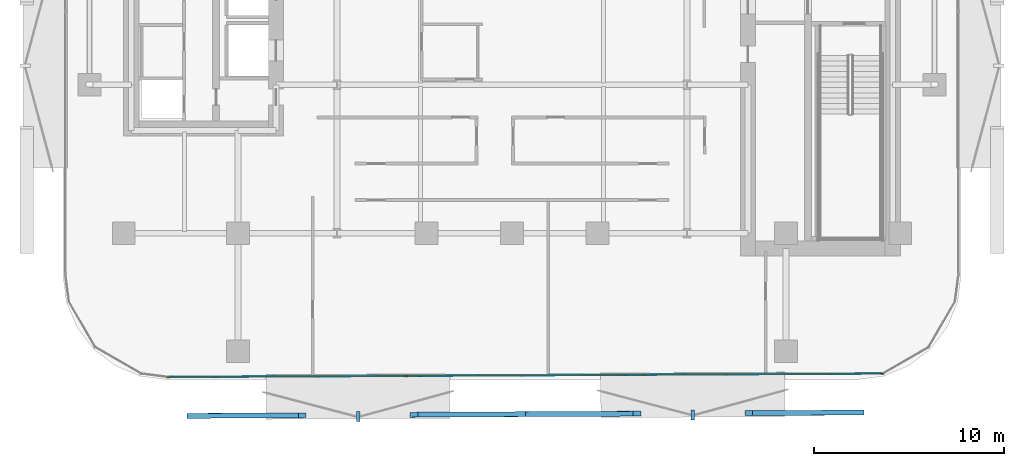
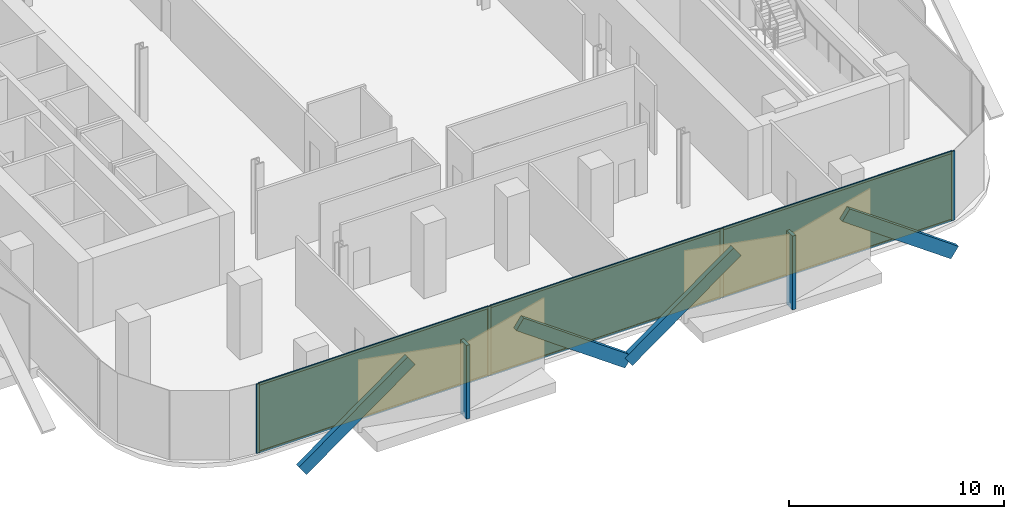
# One storey, part 7 of 15: 16 members, 3 plates, 1 curtain wall.
"""IFC4 building model written with IfcOpenShell, lengths in metres."""

from ifc_helpers import new_model, si_unit, direction, frame, frame_2d, origin, origin_2d, place, context, subcontext, project, spatial, rectangle, extrude, material, layer, layer_set, material_profile, profile_set, type_object, element, aggregate, save


model = new_model("IFC4")

# Units and contexts
model_context = context("Model", 3, precision=1e-05, world=origin(), true_north=direction((0.0, 1.0)))
body_context = subcontext(model_context, "Body", "Model", "MODEL_VIEW")
ifc_project = project(units=[si_unit("LENGTHUNIT", "METRE"), si_unit("AREAUNIT", "SQUARE_METRE"), si_unit("VOLUMEUNIT", "CUBIC_METRE"), si_unit("PLANEANGLEUNIT", "RADIAN"), si_unit("MASSUNIT", "GRAM", prefix="KILO")], contexts=[model_context])

# Member
ifc_material_1 = material(Name="Anodised Bronze Aluminium 6063-T6", Category="aluminium")
ifc_material_profile_1 = material_profile(ifc_material_1, rectangle(XDim=0.260009765625, YDim=0.699951171875, at=origin_2d()))
ifc_profile_set_1 = profile_set([ifc_material_profile_1], Name="Anodised Bronze Aluminium 6063-T6")
member_type_1 = type_object("IfcMemberType", Name="Bronze Diamond Solar-Screen Lattice Rib BDL-700", PredefinedType="MULLION", material=ifc_profile_set_1)
site_placement = place(None, origin())
building_placement = place(site_placement, origin())
storey_placement = place(building_placement, frame((0.0, 0.0, 118.39990234375)))
member_1_placement = place(storey_placement, frame((18.297119140625, -28.02197265625, -0.1298828125), z_axis=(-0.812934840677, -0.003994433113, 0.582340956243), x_axis=(-0.007759286777, 0.999962004517, -0.003972781225)))
member_1 = element("IfcMember", 1, at=member_1_placement, type_object=member_type_1, Name="L27 Bronze Diamond Solar Screen Lattice Rib 161A", PredefinedType="MULLION", context=body_context, shape_type="SweptSolid", body=[
    extrude(rectangle(XDim=0.260009765625, YDim=0.699951171875, at=origin_2d()), origin(), (0.0, 0.0, 1.0), 7.212158203125),
])

member_2_placement = place(storey_placement, frame((0.7080078125, -28.108154296875, -0.1298828125), z_axis=(0.812934840677, 0.003994433113, 0.582340956243), x_axis=(0.007759286777, -0.999962004517, -0.003972781225)))
member_2 = element("IfcMember", 2, at=member_2_placement, type_object=member_type_1, Name="L27 Bronze Diamond Solar Screen Lattice Rib 161B", PredefinedType="MULLION", context=body_context, shape_type="SweptSolid", body=[
    extrude(rectangle(XDim=0.260009765625, YDim=0.699951171875, at=origin_2d()), origin(), (0.0, 0.0, 1.0), 7.212158203125),
])

member_3_placement = place(storey_placement, frame((0.7080078125, -28.108154296875, -0.1298828125), z_axis=(-0.812923469496, -0.00396069151, 0.582357060287), x_axis=(-0.007717930273, 0.999962324795, -0.003972724849)))
member_3 = element("IfcMember", 3, at=member_3_placement, type_object=member_type_1, Name="L27 Bronze Diamond Solar Screen Lattice Rib 162A", PredefinedType="MULLION", context=body_context, shape_type="SweptSolid", body=[
    extrude(rectangle(XDim=0.260009765625, YDim=0.699951171875, at=origin_2d()), origin(), (0.0, 0.0, 1.0), 7.2119140625),
])

member_4_placement = place(storey_placement, frame((-16.880859375, -28.194091796875, -0.1298828125), z_axis=(0.812934840677, 0.003994433113, 0.582340956243), x_axis=(0.007759286777, -0.999962004517, -0.003972781225)))
member_4 = element("IfcMember", 4, at=member_4_placement, type_object=member_type_1, Name="L27 Bronze Diamond Solar Screen Lattice Rib 162B", PredefinedType="MULLION", context=body_context, shape_type="SweptSolid", body=[
    extrude(rectangle(XDim=0.260009765625, YDim=0.699951171875, at=origin_2d()), origin(), (0.0, 0.0, 1.0), 7.212158203125),
])

ifc_material_2 = material(Name="Anodised Bronze Aluminium 6063-T6", Category="aluminium")
ifc_material_profile_2 = material_profile(ifc_material_2, rectangle(XDim=0.179931640625, YDim=0.5400390625, at=origin_2d()))
ifc_profile_set_2 = profile_set([ifc_material_profile_2], Name="Anodised Bronze Aluminium 6063-T6")
member_type_2 = type_object("IfcMemberType", Name="Bronze Solar-Screen Vertical Fold Fin BSF-540", PredefinedType="MULLION", material=ifc_profile_set_2)
member_5_placement = place(storey_placement, frame((9.5029296875, -28.14501953125, -0.1298828125), z_axis=(0.0, 0.0, 1.0), x_axis=(-0.999988059021, -0.004886902454, 0.0)))
member_5 = element("IfcMember", 5, at=member_5_placement, type_object=member_type_2, Name="L27 Bronze Solar Screen Vertical Fin 161", PredefinedType="MULLION", context=body_context, shape_type="SweptSolid", body=[
    extrude(rectangle(XDim=0.179931640625, YDim=0.5400390625, at=origin_2d()), origin(), (0.0, 0.0, 1.0), 4.199951171875),
])

member_6_placement = place(storey_placement, frame((-8.0859375, -28.231201171875, -0.1298828125), z_axis=(0.0, 0.0, 1.0), x_axis=(-0.999988059021, -0.004886902454, 0.0)))
member_6 = element("IfcMember", 6, at=member_6_placement, type_object=member_type_2, Name="L27 Bronze Solar Screen Vertical Fin 162", PredefinedType="MULLION", context=body_context, shape_type="SweptSolid", body=[
    extrude(rectangle(XDim=0.179931640625, YDim=0.5400390625, at=origin_2d()), origin(), (0.0, 0.0, 1.0), 4.199951171875),
])

ifc_material_3 = material(Name="Anodised Bronze Aluminium 6063-T6", Category="aluminium")
ifc_material_profile_3 = material_profile(ifc_material_3, rectangle(XDim=0.06494140625, YDim=0.175048828125, at=origin_2d()))
ifc_profile_set_3 = profile_set([ifc_material_profile_3], Name="Anodised Bronze Aluminium 6063-T6")
member_type_3 = type_object("IfcMemberType", Name="CW-Z2 Mullion 65x175", PredefinedType="MULLION", material=ifc_profile_set_3)
member_7_placement = place(storey_placement, frame((19.45458984375, -25.976318359375, 0.0), z_axis=(0.0, 0.0, 1.0), x_axis=(0.004891127252, -0.999988038366, 0.0)))
member_7 = element("IfcMember", 7, at=member_7_placement, type_object=member_type_3, Name="CW-Z2 mullion 1", PredefinedType="MULLION", context=body_context, shape_type="SweptSolid", body=[
    extrude(rectangle(XDim=0.06494140625, YDim=0.175048828125, at=origin_2d()), origin(), (0.0, 0.0, 1.0), 3.940185546875),
])

member_8_placement = place(storey_placement, frame((6.961181640625, -26.037353515625, 0.0), z_axis=(0.0, 0.0, 1.0), x_axis=(0.004891127252, -0.999988038366, 0.0)))
member_8 = element("IfcMember", 8, at=member_8_placement, type_object=member_type_3, Name="CW-Z2 mullion 2", PredefinedType="MULLION", context=body_context, shape_type="SweptSolid", body=[
    extrude(rectangle(XDim=0.06494140625, YDim=0.175048828125, at=origin_2d()), origin(), (0.0, 0.0, 1.0), 3.940185546875),
])

member_9_placement = place(storey_placement, frame((-5.56494140625, -26.0986328125, 0.0), z_axis=(0.0, 0.0, 1.0), x_axis=(0.004891127252, -0.999988038366, 0.0)))
member_9 = element("IfcMember", 9, at=member_9_placement, type_object=member_type_3, Name="CW-Z2 mullion 3", PredefinedType="MULLION", context=body_context, shape_type="SweptSolid", body=[
    extrude(rectangle(XDim=0.06494140625, YDim=0.175048828125, at=origin_2d()), origin(), (0.0, 0.0, 1.0), 3.940185546875),
])

member_10_placement = place(storey_placement, frame((-18.058349609375, -26.159912109375, 0.0), z_axis=(0.0, 0.0, 1.0), x_axis=(0.004891127252, -0.999988038366, 0.0)))
member_10 = element("IfcMember", 10, at=member_10_placement, type_object=member_type_3, Name="CW-Z2 mullion 4", PredefinedType="MULLION", context=body_context, shape_type="SweptSolid", body=[
    extrude(rectangle(XDim=0.06494140625, YDim=0.175048828125, at=origin_2d()), origin(), (0.0, 0.0, 1.0), 3.940185546875),
])

ifc_material_4 = material(Name="Anodised Bronze Aluminium 6063-T6", Category="aluminium")
ifc_material_profile_4 = material_profile(ifc_material_4, rectangle(XDim=0.06494140625, YDim=0.135009765625, at=origin_2d()))
ifc_profile_set_4 = profile_set([ifc_material_profile_4], Name="Anodised Bronze Aluminium 6063-T6")
member_type_4 = type_object("IfcMemberType", Name="CW-Z2 Transom 65x135", PredefinedType="USERDEFINED", material=ifc_profile_set_4)
member_11_placement = place(storey_placement, frame((19.422119140625, -25.9765625, 0.03271484375), z_axis=(-0.999988037942, -0.00489121381, 0.0), x_axis=(0.00489121381, -0.999988037942, 0.0)))
member_11 = element("IfcMember", 11, at=member_11_placement, type_object=member_type_4, Name="CW-Z2 transom 1.1", ObjectType="TRANSOM", PredefinedType="USERDEFINED", context=body_context, shape_type="SweptSolid", body=[
    extrude(rectangle(XDim=0.06494140625, YDim=0.135009765625, at=origin_2d()), origin(), (0.0, 0.0, 1.0), 12.4287109375),
])

member_12_placement = place(storey_placement, frame((19.422119140625, -25.9765625, 3.90771484375), z_axis=(-0.999988037942, -0.00489121381, 0.0), x_axis=(0.00489121381, -0.999988037942, 0.0)))
member_12 = element("IfcMember", 12, at=member_12_placement, type_object=member_type_4, Name="CW-Z2 transom 1.2", ObjectType="TRANSOM", PredefinedType="USERDEFINED", context=body_context, shape_type="SweptSolid", body=[
    extrude(rectangle(XDim=0.06494140625, YDim=0.135009765625, at=origin_2d()), origin(), (0.0, 0.0, 1.0), 12.4287109375),
])

member_13_placement = place(storey_placement, frame((6.928466796875, -26.03759765625, 0.03271484375), z_axis=(-0.99998800443, -0.004898060367, 0.0), x_axis=(0.004898060367, -0.99998800443, 0.0)))
member_13 = element("IfcMember", 13, at=member_13_placement, type_object=member_type_4, Name="CW-Z2 transom 2.1", ObjectType="TRANSOM", PredefinedType="USERDEFINED", context=body_context, shape_type="SweptSolid", body=[
    extrude(rectangle(XDim=0.06494140625, YDim=0.135009765625, at=origin_2d()), origin(), (0.0, 0.0, 1.0), 12.461181640625),
])

member_14_placement = place(storey_placement, frame((6.928466796875, -26.03759765625, 3.90771484375), z_axis=(-0.99998800443, -0.004898060367, 0.0), x_axis=(0.004898060367, -0.99998800443, 0.0)))
member_14 = element("IfcMember", 14, at=member_14_placement, type_object=member_type_4, Name="CW-Z2 transom 2.2", ObjectType="TRANSOM", PredefinedType="USERDEFINED", context=body_context, shape_type="SweptSolid", body=[
    extrude(rectangle(XDim=0.06494140625, YDim=0.135009765625, at=origin_2d()), origin(), (0.0, 0.0, 1.0), 12.461181640625),
])

member_15_placement = place(storey_placement, frame((-5.597412109375, -26.098876953125, 0.03271484375), z_axis=(-0.999988037942, -0.00489121381, 0.0), x_axis=(0.00489121381, -0.999988037942, 0.0)))
member_15 = element("IfcMember", 15, at=member_15_placement, type_object=member_type_4, Name="CW-Z2 transom 3.1", ObjectType="TRANSOM", PredefinedType="USERDEFINED", context=body_context, shape_type="SweptSolid", body=[
    extrude(rectangle(XDim=0.06494140625, YDim=0.135009765625, at=origin_2d()), origin(), (0.0, 0.0, 1.0), 12.4287109375),
])

member_16_placement = place(storey_placement, frame((-5.597412109375, -26.098876953125, 3.90771484375), z_axis=(-0.999988037942, -0.00489121381, 0.0), x_axis=(0.00489121381, -0.999988037942, 0.0)))
member_16 = element("IfcMember", 16, at=member_16_placement, type_object=member_type_4, Name="CW-Z2 transom 3.2", ObjectType="TRANSOM", PredefinedType="USERDEFINED", context=body_context, shape_type="SweptSolid", body=[
    extrude(rectangle(XDim=0.06494140625, YDim=0.135009765625, at=origin_2d()), origin(), (0.0, 0.0, 1.0), 12.4287109375),
])

# Plate
ifc_material_5 = material(Name="Low-E Solar Control Laminated Glass", Category="glass")
ifc_layer_1 = layer(ifc_material_5, 0.028076171875, Name="Low-E Solar Control Laminated Glass")
ifc_layer_set_1 = layer_set([ifc_layer_1], Name="Low-E Solar Control Laminated Glass")
plate_type = type_object("IfcPlateType", Name="CW-Z2 Low-E Double Glazed Panel 28mm", PredefinedType="CURTAIN_PANEL", material=ifc_layer_set_1)
plate_1_placement = place(storey_placement, frame((13.207763671875, -26.0068359375, 0.065185546875), z_axis=(0.0, 0.0, 1.0), x_axis=(-0.999988038366, -0.004891127252, 0.0)))
plate_1 = element("IfcPlate", 17, at=plate_1_placement, type_object=plate_type, Name="CW-Z2 panel 1.1", PredefinedType="CURTAIN_PANEL", context=body_context, shape_type="SweptSolid", body=[
    extrude(rectangle(XDim=12.428466796875, YDim=0.028076171875, at=origin_2d()), origin(), (0.0, 0.0, 1.0), 3.81005859375),
])

plate_2_placement = place(storey_placement, frame((0.697998046875, -26.068115234375, 0.065185546875), z_axis=(0.0, 0.0, 1.0), x_axis=(-0.999988038366, -0.004891127252, 0.0)))
plate_2 = element("IfcPlate", 18, at=plate_2_placement, type_object=plate_type, Name="CW-Z2 panel 2.1", PredefinedType="CURTAIN_PANEL", context=body_context, shape_type="SweptSolid", body=[
    extrude(rectangle(XDim=12.461181640625, YDim=0.028076171875, at=origin_2d()), origin(), (0.0, 0.0, 1.0), 3.81005859375),
])

plate_3_placement = place(storey_placement, frame((-11.8115234375, -26.12939453125, 0.065185546875), z_axis=(0.0, 0.0, 1.0), x_axis=(-0.999988038366, -0.004891127252, 0.0)))
plate_3 = element("IfcPlate", 19, at=plate_3_placement, type_object=plate_type, Name="CW-Z2 panel 3.1", PredefinedType="CURTAIN_PANEL", context=body_context, shape_type="SweptSolid", body=[
    extrude(rectangle(XDim=12.428466796875, YDim=0.028076171875, at=origin_2d()), origin(), (0.0, 0.0, 1.0), 3.81005859375),
])

# Site, building, storey
site = spatial("IfcSite", under=ifc_project, at=site_placement, CompositionType="ELEMENT")
building = spatial("IfcBuilding", under=site, at=building_placement, Name="Khairoan Windgate Tower", CompositionType="ELEMENT")
storey = spatial("IfcBuildingStorey", under=building, at=storey_placement, Name="L27", CompositionType="ELEMENT", Elevation=118.39990234375)

# Curtain wall
ifc_material_6 = material(Name="Anodised Bronze Aluminium 6063-T6", Category="aluminium")
ifc_layer_2 = layer(ifc_material_6, 0.175048828125, Name="Anodised Bronze Aluminium 6063-T6")
ifc_layer_set_2 = layer_set([ifc_layer_2], Name="Anodised Bronze Aluminium 6063-T6")
curtain_wall_type = type_object("IfcCurtainWallType", Name="Mid-Rise Office Unitised Curtain Wall CW-Z2", PredefinedType="NOTDEFINED", material=ifc_layer_set_2)
curtain_wall_placement = place(storey_placement, frame((19.487060546875, -25.976318359375, 0.0), z_axis=(0.0, 0.0, 1.0), x_axis=(-0.999988065247, -0.004885628318, 0.0)))
curtain_wall = element("IfcCurtainWall", 20, at=curtain_wall_placement, inside=storey, type_object=curtain_wall_type, Name="L27 Unitised Curtain Wall 1", PredefinedType="NOTDEFINED", context=body_context, shape_type="SweptSolid", body=[
    extrude(rectangle(XDim=37.578369140625, YDim=0.010009765625, at=frame_2d((18.7890625, 0.0))), origin(), (0.0, 0.0, 1.0), 3.940185546875),
])

aggregate(curtain_wall, [member_7, member_8, member_9, member_10, member_11, member_12, plate_1, member_13, member_14, plate_2, member_15, member_16, plate_3, member_1, member_2, member_5, member_3, member_4, member_6])

save(model, "model.ifc")
